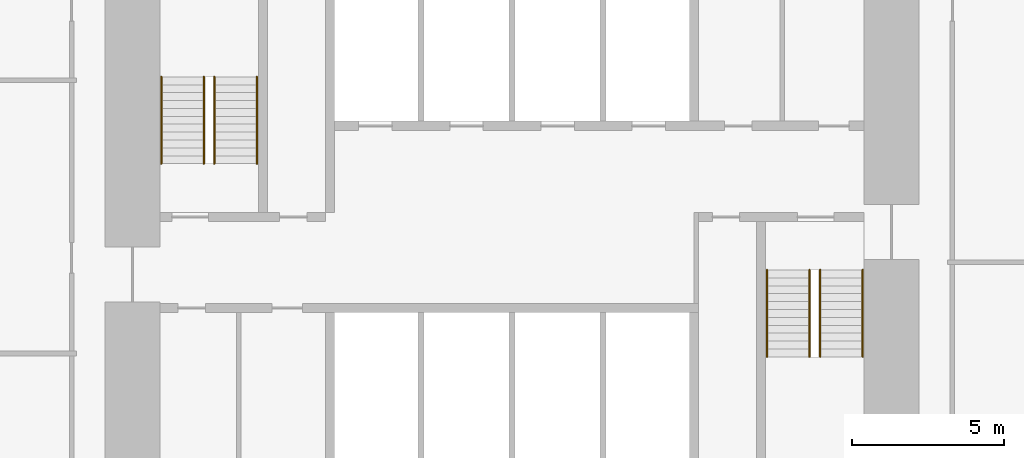
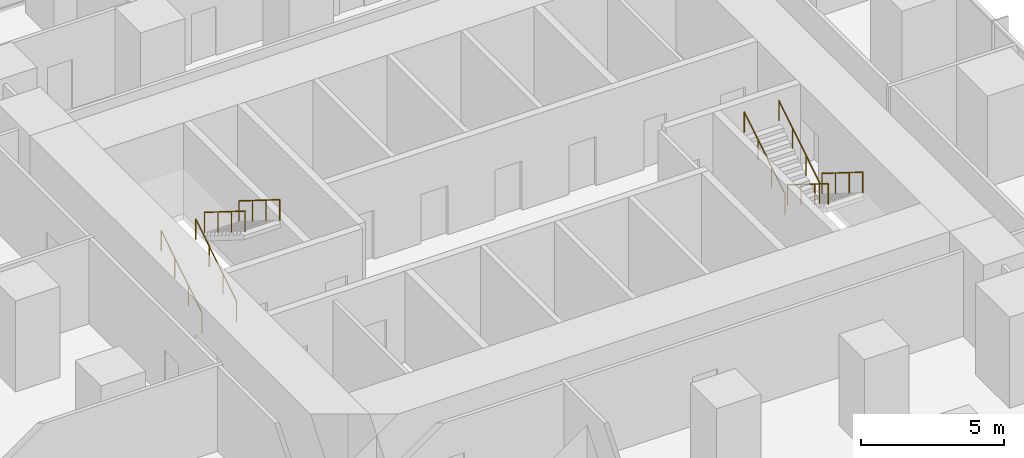
# One storey, part 12 of 12: 8 railings.
"""IFC4 building model written with IfcOpenShell, lengths in metres."""

from ifc_helpers import new_model, si_unit, direction, frame, origin, origin_2d, place, context, subcontext, project, spatial, circle, extrude, material, type_object, element, save


model = new_model("IFC4")

# Units and contexts
model_context = context("Model", 3, precision=1e-05, world=origin(), true_north=direction((0.0, 1.0)))
body_context = subcontext(model_context, "Body", "Model", "MODEL_VIEW")
ifc_project = project(units=[si_unit("LENGTHUNIT", "METRE"), si_unit("AREAUNIT", "SQUARE_METRE"), si_unit("VOLUMEUNIT", "CUBIC_METRE"), si_unit("PLANEANGLEUNIT", "RADIAN"), si_unit("MASSUNIT", "GRAM", prefix="KILO")], contexts=[model_context])

# Site, building, storey
site_placement = place(None, origin())
site = spatial("IfcSite", under=ifc_project, at=site_placement, CompositionType="ELEMENT")
building_placement = place(site_placement, origin())
building = spatial("IfcBuilding", under=site, at=building_placement, Name="Highveld Stack Headquarters", CompositionType="ELEMENT")
storey_placement = place(building_placement, frame((0.0, 0.0, 37.699951171875)))
storey = spatial("IfcBuildingStorey", under=building, at=storey_placement, Name="L08", CompositionType="ELEMENT", Elevation=37.699951171875)

# Railings
ifc_material = material(Name="Stainless steel handrail", Category="steel")
railing_type = type_object("IfcRailingType", Name="STAIR HANDRAIL HR1 900", PredefinedType="HANDRAIL", material=ifc_material)
for number, where, name in (
    (1, (-5.550048828125, 4.75, 0.16259765625), "Handrail S1 L08 flight 1"),
    (2, (-4.14990234375, 4.75, 0.16259765625), "Handrail S1 L08 flight 1"),
):
    element("IfcRailing", number, at=place(storey_placement, frame(where)), inside=storey, type_object=railing_type, Name=name, PredefinedType="HANDRAIL", context=body_context, shape_type="SweptSolid", body=[
        extrude(circle(Radius=0.02392578125, at=origin_2d()), frame((0.0, 0.0, 0.8759765625), z_axis=(0.0, 0.848026770018, 0.529953391661), x_axis=(-1.0, 0.0, 0.0)), (0.0, 0.0, 1.0), 3.37255859375),
        extrude(circle(Radius=0.02099609375, at=origin_2d()), origin(), (0.0, 0.0, 1.0), 0.851806640625),
        extrude(circle(Radius=0.02099609375, at=origin_2d()), frame((0.0, 0.953369140625, 0.595703125)), (0.0, 0.0, 1.0), 0.851806640625),
        extrude(circle(Radius=0.02099609375, at=origin_2d()), frame((0.0, 1.90673828125, 1.191650390625)), (0.0, 0.0, 1.0), 0.851806640625),
        extrude(circle(Radius=0.02099609375, at=origin_2d()), frame((0.0, 2.860107421875, 1.787353515625)), (0.0, 0.0, 1.0), 0.851806640625),
    ])
for number, where, name in (
    (3, (-3.800048828125, 7.610107421875, 2.112548828125), "Handrail S1 L08 flight 2"),
    (4, (-2.39990234375, 7.610107421875, 2.112548828125), "Handrail S1 L08 flight 2"),
):
    element("IfcRailing", number, at=place(storey_placement, frame(where)), inside=storey, type_object=railing_type, Name=name, PredefinedType="HANDRAIL", context=body_context, shape_type="SweptSolid", body=[
        extrude(circle(Radius=0.02392578125, at=origin_2d()), frame((0.0, 0.0, 0.8759765625), z_axis=(0.0, -0.847994237388, 0.530005446535), x_axis=(1.0, 0.0, 0.0)), (0.0, 0.0, 1.0), 3.372802734375),
        extrude(circle(Radius=0.02099609375, at=origin_2d()), origin(), (0.0, 0.0, 1.0), 0.851806640625),
        extrude(circle(Radius=0.02099609375, at=origin_2d()), frame((0.0, -0.953369140625, 0.595947265625)), (0.0, 0.0, 1.0), 0.851806640625),
        extrude(circle(Radius=0.02099609375, at=origin_2d()), frame((0.0, -1.90673828125, 1.191650390625)), (0.0, 0.0, 1.0), 0.851806640625),
        extrude(circle(Radius=0.02099609375, at=origin_2d()), frame((0.0, -2.860107421875, 1.78759765625)), (0.0, 0.0, 1.0), 0.851806640625),
    ])
for number, where, name in (
    (5, (16.14990234375, 1.25, 0.16259765625), "Handrail S2 L08 flight 1"),
    (6, (17.550048828125, 1.25, 0.16259765625), "Handrail S2 L08 flight 1"),
):
    element("IfcRailing", number, at=place(storey_placement, frame(where)), inside=storey, type_object=railing_type, Name=name, PredefinedType="HANDRAIL", context=body_context, shape_type="SweptSolid", body=[
        extrude(circle(Radius=0.02392578125, at=origin_2d()), frame((0.0, 0.0, 0.8759765625), z_axis=(0.0, -0.848026770018, 0.529953391661), x_axis=(1.0, 0.0, 0.0)), (0.0, 0.0, 1.0), 3.37255859375),
        extrude(circle(Radius=0.02099609375, at=origin_2d()), origin(), (0.0, 0.0, 1.0), 0.851806640625),
        extrude(circle(Radius=0.02099609375, at=origin_2d()), frame((0.0, -0.953369140625, 0.595703125)), (0.0, 0.0, 1.0), 0.851806640625),
        extrude(circle(Radius=0.02099609375, at=origin_2d()), frame((0.0, -1.90673828125, 1.191650390625)), (0.0, 0.0, 1.0), 0.851806640625),
        extrude(circle(Radius=0.02099609375, at=origin_2d()), frame((0.0, -2.860107421875, 1.787353515625)), (0.0, 0.0, 1.0), 0.851806640625),
    ])
for number, where, name in (
    (7, (14.39990234375, -1.610107421875, 2.112548828125), "Handrail S2 L08 flight 2"),
    (8, (15.800048828125, -1.610107421875, 2.112548828125), "Handrail S2 L08 flight 2"),
):
    element("IfcRailing", number, at=place(storey_placement, frame(where)), inside=storey, type_object=railing_type, Name=name, PredefinedType="HANDRAIL", context=body_context, shape_type="SweptSolid", body=[
        extrude(circle(Radius=0.02392578125, at=origin_2d()), frame((0.0, 0.0, 0.8759765625), z_axis=(0.0, 0.847994237388, 0.530005446535), x_axis=(-1.0, 0.0, 0.0)), (0.0, 0.0, 1.0), 3.372802734375),
        extrude(circle(Radius=0.02099609375, at=origin_2d()), origin(), (0.0, 0.0, 1.0), 0.851806640625),
        extrude(circle(Radius=0.02099609375, at=origin_2d()), frame((0.0, 0.953369140625, 0.595947265625)), (0.0, 0.0, 1.0), 0.851806640625),
        extrude(circle(Radius=0.02099609375, at=origin_2d()), frame((0.0, 1.90673828125, 1.191650390625)), (0.0, 0.0, 1.0), 0.851806640625),
        extrude(circle(Radius=0.02099609375, at=origin_2d()), frame((0.0, 2.860107421875, 1.78759765625)), (0.0, 0.0, 1.0), 0.851806640625),
    ])

save(model, "model.ifc")
